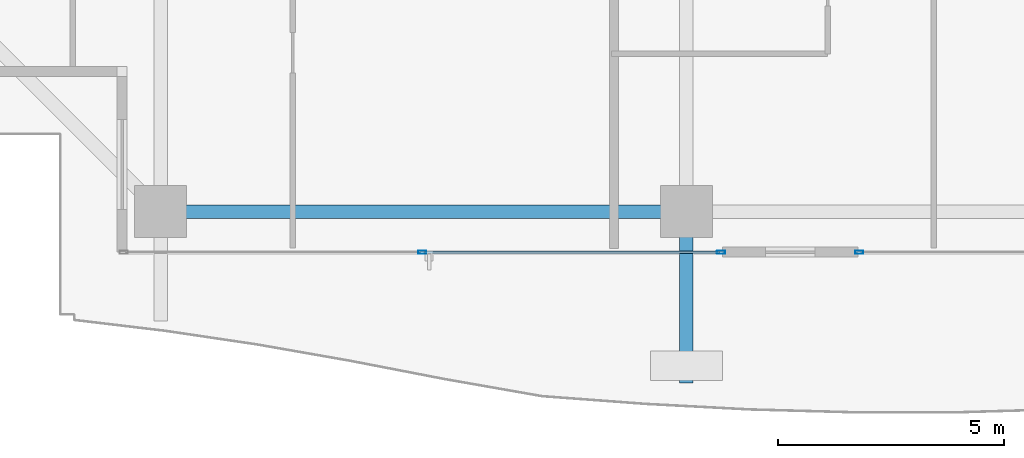
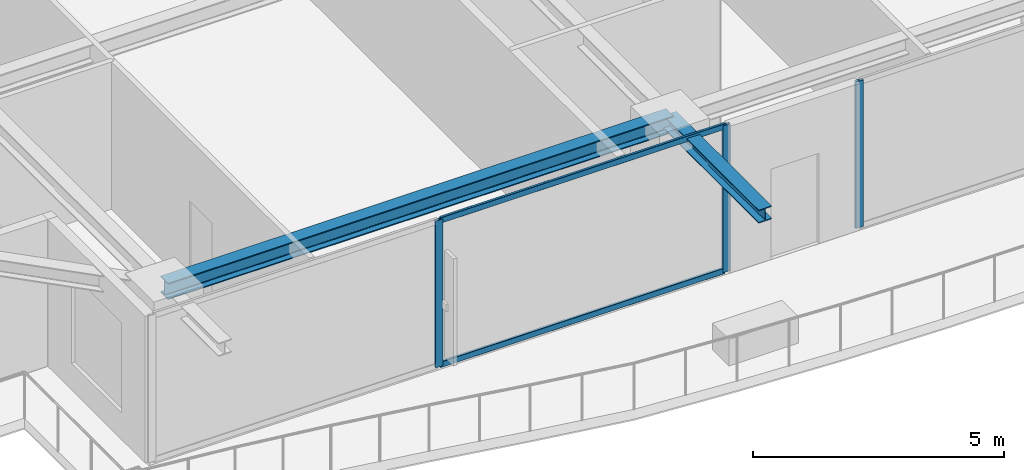
# One storey, part 5 of 38: 5 members, 2 beams, 2 elements without a shape of their own.
"""IFC4 building model written with IfcOpenShell, lengths in metres."""

import ifcopenshell
import ifcopenshell.guid

model = None  # the IFC model being written
_history = None  # IfcOwnerHistory: only IFC2X3 demands one
_inside = {}  # id of a spatial element -> (the spatial element, [elements in it])
_under = {}  # id of a project, library or spatial element -> (it, [spatial elements below it])
_declared = {}  # id of a project -> (the project, [libraries it declares])
_typed = {}  # id of a type object -> (the type object, [elements of that type])
_made_of = {}  # id of a material, layer set ... -> (it, [elements and type objects made of it])


def new_model(schema):
    """Start an empty IFC model of exactly this schema.

    Asked for "IFC4X3", IfcOpenShell would pick the latest addendum, in which some entities
    have other attributes; the version numbers below select the first issue.
    IFC2X3 requires an IfcOwnerHistory on every rooted entity: one is made here for all.
    """
    global model, _history
    if schema == "IFC4X3":
        model = ifcopenshell.file(schema_version=(4, 3, 0, 0))
    else:
        model = ifcopenshell.file(schema=schema)
    _inside.clear()
    _under.clear()
    _declared.clear()
    _typed.clear()
    _made_of.clear()
    _history = None
    if model.schema == "IFC2X3":
        org = make("IfcOrganization", Name="unknown")
        user = make(
            "IfcPersonAndOrganization",
            ThePerson=make("IfcPerson", FamilyName="unknown"),
            TheOrganization=org,
        )
        app = make(
            "IfcApplication",
            ApplicationDeveloper=org,
            Version="unknown",
            ApplicationFullName="unknown",
            ApplicationIdentifier="unknown",
        )
        _history = make(
            "IfcOwnerHistory",
            OwningUser=user,
            OwningApplication=app,
            ChangeAction="ADDED",
            CreationDate=0,
        )
    return model


def make(cls, **values):
    """One entity of the class cls with the attributes given. An attribute that is None is left unset."""
    return model.create_entity(
        cls, **{name: value for name, value in values.items() if value is not None}
    )


def rooted(cls, **values):
    """An entity with a GlobalId (a new one), such as an element, a storey or a relation."""
    return make(cls, GlobalId=ifcopenshell.guid.new(), OwnerHistory=_history, **values)


def si_unit(unit_type, name, prefix=None):
    """IfcSIUnit, for example si_unit("LENGTHUNIT", "METRE", prefix="MILLI")."""
    return make("IfcSIUnit", UnitType=unit_type, Prefix=prefix, Name=name)


def assignment(units):
    """IfcUnitAssignment: the units of a project."""
    return None if units is None else make("IfcUnitAssignment", Units=units)


def point(xyz):
    """IfcCartesianPoint."""
    return None if xyz is None else make("IfcCartesianPoint", Coordinates=xyz)


def direction(xyz):
    """IfcDirection."""
    return None if xyz is None else make("IfcDirection", DirectionRatios=xyz)


def frame(location, z_axis=None, x_axis=None):
    """IfcAxis2Placement3D, a coordinate frame: its origin and axes. An axis left out is left unset."""
    return make(
        "IfcAxis2Placement3D",
        Location=point(location),
        Axis=direction(z_axis),
        RefDirection=direction(x_axis),
    )


def frame_2d(location, x_axis=None):
    """IfcAxis2Placement2D, a coordinate frame in the plane: its origin and x axis."""
    return make(
        "IfcAxis2Placement2D", Location=point(location), RefDirection=direction(x_axis)
    )


def origin():
    """The frame at (0, 0, 0) with its axes left unset."""
    return frame((0.0, 0.0, 0.0))


def origin_2d():
    """The frame at (0, 0) in the plane with its x axis left unset."""
    return frame_2d((0.0, 0.0))


def place(relative_to, where):
    """IfcLocalPlacement: puts the frame where relative to a parent placement (None: the world)."""
    return make(
        "IfcLocalPlacement", PlacementRelTo=relative_to, RelativePlacement=where
    )


def context(
    kind, dimensions, precision=None, world=None, true_north=None, identifier=None
):
    """IfcGeometricRepresentationContext, for example the 3D "Model" context."""
    return make(
        "IfcGeometricRepresentationContext",
        ContextIdentifier=identifier,
        ContextType=kind,
        CoordinateSpaceDimension=dimensions,
        Precision=precision,
        WorldCoordinateSystem=world,
        TrueNorth=true_north,
    )


def subcontext(parent, identifier, kind, view, scale=None):
    """IfcGeometricRepresentationSubContext, for example "Body" below "Model"."""
    return make(
        "IfcGeometricRepresentationSubContext",
        ContextIdentifier=identifier,
        ContextType=kind,
        ParentContext=parent,
        TargetScale=scale,
        TargetView=view,
    )


def project(units=None, contexts=None):
    """IfcProject with its units and contexts."""
    return rooted(
        "IfcProject",
        Name="project",
        RepresentationContexts=contexts,
        UnitsInContext=assignment(units),
    )


def spatial(cls, under=None, at=None, **own):
    """A site, building, storey or space (cls), placed at a placement, below another one or the project."""
    s = rooted(cls, ObjectPlacement=at, **own)
    if under is not None:
        _under.setdefault(under.id(), (under, []))[1].append(s)
    return s


def profile(cls, at=None, kind="AREA", **sizes):
    """A parametric profile (cls). Its sizes go by their IFC names, for example OverallWidth=200.0."""
    return make(cls, ProfileType=kind, Position=at, **sizes)


def hollow_rectangle(**sizes):
    """IfcRectangleHollowProfileDef."""
    return profile("IfcRectangleHollowProfileDef", **sizes)


def i_section(**sizes):
    """IfcIShapeProfileDef."""
    return profile("IfcIShapeProfileDef", **sizes)


def extrude(swept, where, along, depth):
    """IfcExtrudedAreaSolid: the profile swept, set in the frame where, extruded along a direction by depth."""
    return make(
        "IfcExtrudedAreaSolid",
        SweptArea=swept,
        Position=where,
        ExtrudedDirection=direction(along),
        Depth=depth,
    )


def shape(context_of_items, identifier, shape_type, items):
    """IfcShapeRepresentation: the items that make up one representation, for example the "Body"."""
    return make(
        "IfcShapeRepresentation",
        ContextOfItems=context_of_items,
        RepresentationIdentifier=identifier,
        RepresentationType=shape_type,
        Items=items,
    )


def source(mapping_origin, context_of_items, identifier, shape_type, items):
    """IfcRepresentationMap: a shape defined once, which mapped items show again and again."""
    return make(
        "IfcRepresentationMap",
        MappingOrigin=mapping_origin,
        MappedRepresentation=shape(context_of_items, identifier, shape_type, items),
    )


def transform(
    local_origin,
    x_axis=None,
    y_axis=None,
    z_axis=None,
    scale=None,
    scale2=None,
    scale3=None,
    uniform=True,
):
    """IfcCartesianTransformationOperator3D, or its non-uniform kind. x_axis, y_axis, z_axis: its Axis1, 2, 3."""
    if uniform:
        return make(
            "IfcCartesianTransformationOperator3D",
            Axis1=direction(x_axis),
            Axis2=direction(y_axis),
            LocalOrigin=point(local_origin),
            Scale=scale,
            Axis3=direction(z_axis),
        )
    return make(
        "IfcCartesianTransformationOperator3DnonUniform",
        Axis1=direction(x_axis),
        Axis2=direction(y_axis),
        LocalOrigin=point(local_origin),
        Scale=scale,
        Axis3=direction(z_axis),
        Scale2=scale2,
        Scale3=scale3,
    )


def mapped(mapping_source, mapping_target):
    """IfcMappedItem: shows the shape of a source again, moved by a transform."""
    return make(
        "IfcMappedItem", MappingSource=mapping_source, MappingTarget=mapping_target
    )


def material(Name=None, Category=None):
    """IfcMaterial."""
    return make("IfcMaterial", Name=Name, Category=Category)


def layer(
    of_material, thickness, ventilated=None, Name=None, Category=None, Priority=None
):
    """IfcMaterialLayer: one layer of a wall or slab, of a material (None: an air gap)."""
    return make(
        "IfcMaterialLayer",
        Material=of_material,
        LayerThickness=thickness,
        IsVentilated=ventilated,
        Name=Name,
        Category=Category,
        Priority=Priority,
    )


def layer_set(layers, Name=None):
    """IfcMaterialLayerSet."""
    return make("IfcMaterialLayerSet", MaterialLayers=layers, LayerSetName=Name)


def material_profile(
    of_material, cross_section, Name=None, Category=None, Priority=None
):
    """IfcMaterialProfile: a cross section and its material."""
    return make(
        "IfcMaterialProfile",
        Name=Name,
        Material=of_material,
        Profile=cross_section,
        Priority=Priority,
        Category=Category,
    )


def profile_set(profiles, Name=None, composite=None):
    """IfcMaterialProfileSet."""
    return make(
        "IfcMaterialProfileSet",
        Name=Name,
        MaterialProfiles=profiles,
        CompositeProfile=composite,
    )


def made_of(thing, what):
    """Note that an element or type object is made of a material, layer set ...; save() writes the relation."""
    if what is not None:
        _made_of.setdefault(what.id(), (what, []))[1].append(thing)
    return thing


def type_object(cls, material=None, **own):
    """A type object (cls), such as IfcWallType, which elements share."""
    return made_of(rooted(cls, **own), material)


def element(
    cls,
    number,
    at=None,
    inside=None,
    cuts=None,
    type_object=None,
    material=None,
    context=None,
    identifier="Body",
    shape_type=None,
    held_by="IfcProductDefinitionShape",
    body=None,
    shapes=None,
    **own,
):
    """One element of the class cls, such as IfcWall. Its Tag is "e" and its number.

    at: its placement. inside: the storey or other place that contains it. cuts: it is an
    opening in that element (IfcRelVoidsElement). A single representation is given by context,
    identifier, shape_type and body (its items); several are given by shapes. held_by: the class
    of the entity that holds the representations. save() writes the other relations.
    """
    e = rooted(cls, Tag="e%d" % number, ObjectPlacement=at, **own)
    if body is not None:
        shapes = [shape(context, identifier, shape_type, body)]
    if shapes is not None:
        e.Representation = make(held_by, Representations=shapes)
    if inside is not None:
        _inside.setdefault(inside.id(), (inside, []))[1].append(e)
    if cuts is not None:
        rooted(
            "IfcRelVoidsElement", RelatingBuildingElement=cuts, RelatedOpeningElement=e
        )
    if type_object is not None:
        _typed.setdefault(type_object.id(), (type_object, []))[1].append(e)
    return made_of(e, material)


def aggregate(whole, parts):
    """IfcRelAggregates: a whole, such as a stair, and the parts it consists of."""
    return rooted("IfcRelAggregates", RelatingObject=whole, RelatedObjects=parts)


def save(model, path):
    """Write the relations noted so far, then the file.

    IfcRelAggregates (storeys below a building ...), IfcRelContainedInSpatialStructure (elements
    in a storey), IfcRelDefinesByType, IfcRelAssociatesMaterial and IfcRelDeclares: one each for
    every whole, place, type object, material and project.
    """
    for whole, parts in _under.values():
        aggregate(whole, parts)
    for where, things in _inside.values():
        rooted(
            "IfcRelContainedInSpatialStructure",
            RelatedElements=things,
            RelatingStructure=where,
        )
    for kind, things in _typed.values():
        rooted("IfcRelDefinesByType", RelatedObjects=things, RelatingType=kind)
    for what, things in _made_of.values():
        rooted("IfcRelAssociatesMaterial", RelatedObjects=things, RelatingMaterial=what)
    for by, libraries in _declared.values():
        rooted("IfcRelDeclares", RelatingContext=by, RelatedDefinitions=libraries)
    model.write(path)


model = new_model("IFC4")

# Units and contexts
model_context = context("Model", 3, precision=1e-05, world=origin(), true_north=direction((0.0, 1.0)))
body_context = subcontext(model_context, "Body", "Model", "MODEL_VIEW")
ifc_project = project(units=[si_unit("LENGTHUNIT", "METRE"), si_unit("AREAUNIT", "SQUARE_METRE"), si_unit("VOLUMEUNIT", "CUBIC_METRE"), si_unit("PLANEANGLEUNIT", "RADIAN"), si_unit("MASSUNIT", "GRAM", prefix="KILO")], contexts=[model_context])

# Site, building, storey
site_placement = place(None, origin())
site = spatial("IfcSite", under=ifc_project, at=site_placement, CompositionType="ELEMENT")
building_placement = place(site_placement, origin())
building = spatial("IfcBuilding", under=site, at=building_placement, Name="Serunith Strait Residences", CompositionType="ELEMENT")
storey_placement = place(building_placement, frame((0.0, 0.0, 241.25)))
storey = spatial("IfcBuildingStorey", under=building, at=storey_placement, Name="L60", CompositionType="ELEMENT", Elevation=241.25)

# Beams
ifc_material_1 = material(Name="Steel S355J2", Category="steel")
ifc_material_profile_1 = material_profile(ifc_material_1, i_section(OverallWidth=0.300048828125, OverallDepth=0.39990234375, WebThickness=0.013427734375, FlangeThickness=0.02392578125, FilletRadius=0.027099609375, at=origin_2d()), Name="HEB 400")
ifc_profile_set_1 = profile_set([ifc_material_profile_1], Name="Steel S355J2")
beam_type_1 = type_object("IfcBeamType", Name="BM-HEB400", PredefinedType="BEAM", material=ifc_profile_set_1)
shared_shape_1 = source(origin(), body_context, "Body", "SweptSolid", [
    extrude(i_section(OverallWidth=0.300048828125, OverallDepth=0.39990234375, WebThickness=0.013427734375, FlangeThickness=0.02392578125, FilletRadius=0.027099609375, at=origin_2d()), origin(), (0.0, 0.0, 1.0), 11.64990234375),
])
beam_1_placement = place(storey_placement, frame((16.25, 2.10009765625, 3.386962890625), z_axis=(1.0, 0.0, 0.0), x_axis=(0.0, 1.0, 0.0)))
element("IfcBeam", 1, at=beam_1_placement, inside=storey, type_object=beam_type_1, Name="L60 Perimeter Ring Beam 01", PredefinedType="BEAM", context=body_context, shape_type="MappedRepresentation", body=[
    mapped(shared_shape_1, transform((0.0, 0.0, 0.0), scale=1.0)),
])
ifc_material_profile_2 = material_profile(ifc_material_1, i_section(OverallWidth=0.300048828125, OverallDepth=0.320068359375, WebThickness=0.011474609375, FlangeThickness=0.0205078125, FilletRadius=0.027099609375, at=origin_2d()), Name="HEB 320")
ifc_profile_set_2 = profile_set([ifc_material_profile_2], Name="Steel S355J2")
beam_type_2 = type_object("IfcBeamType", Name="BM-HEB320", PredefinedType="BEAM", material=ifc_profile_set_2)
shared_shape_2 = source(origin(), body_context, "Body", "SweptSolid", [
    extrude(i_section(OverallWidth=0.300048828125, OverallDepth=0.320068359375, WebThickness=0.011474609375, FlangeThickness=0.0205078125, FilletRadius=0.027099609375, at=origin_2d()), origin(), (0.0, 0.0, 1.0), 3.800048828125),
])
beam_2_placement = place(storey_placement, frame((27.89990234375, 2.10009765625, 3.39697265625), z_axis=(0.0, -1.0, 0.0), x_axis=(1.0, 0.0, 0.0)))
element("IfcBeam", 2, at=beam_2_placement, inside=storey, type_object=beam_type_2, Name="L61 Cantilevered Balcony Rib TC-S2", PredefinedType="BEAM", context=body_context, shape_type="MappedRepresentation", body=[
    mapped(shared_shape_2, transform((0.0, 0.0, 0.0), scale=1.0)),
])

# Curtain wall, members
ifc_material_2 = material(Name="Pale-Champagne Anodised Aluminium", Category="aluminium")
ifc_layer = layer(ifc_material_2, 0.199951171875, Name="Pale-Champagne Anodised Aluminium")
ifc_layer_set = layer_set([ifc_layer], Name="Pale-Champagne Anodised Aluminium")
curtain_wall_type = type_object("IfcCurtainWallType", Name="CW-SYS4", PredefinedType="NOTDEFINED", material=ifc_layer_set)
curtain_wall_1_placement = place(storey_placement, origin())
curtain_wall_1 = element("IfcCurtainWall", 3, at=curtain_wall_1_placement, inside=storey, type_object=curtain_wall_type, Name="L60 S Unitised Fritted Curtain Wall", PredefinedType="NOTDEFINED")
ifc_material_profile_3 = material_profile(ifc_material_2, hollow_rectangle(XDim=0.06494140625, YDim=0.179931640625, WallThickness=0.00341796875, InnerFilletRadius=0.00537109375, OuterFilletRadius=0.0087890625, at=origin_2d()), Name="ALU 180x65x3.5")
ifc_profile_set_3 = profile_set([ifc_material_profile_3], Name="Pale-Champagne Anodised Aluminium")
member_type_1 = type_object("IfcMemberType", Name="CW-SYS4-MULL", PredefinedType="MULLION", material=ifc_profile_set_3)
shared_shape_3 = source(origin(), body_context, "Body", "SweptSolid", [
    extrude(hollow_rectangle(XDim=0.06494140625, YDim=0.179931640625, WallThickness=0.00341796875, InnerFilletRadius=0.00537109375, OuterFilletRadius=0.0087890625, at=origin_2d()), origin(), (0.0, 0.0, 1.0), 3.574951171875),
])
member_1_placement = place(storey_placement, frame((22.050048828125, 1.199951171875, 0.0), z_axis=(0.0, 0.0, 1.0), x_axis=(0.0, 1.0, 0.0)))
member_1 = element("IfcMember", 4, at=member_1_placement, type_object=member_type_1, Name="CW-4 mullion 2", PredefinedType="MULLION", context=body_context, shape_type="MappedRepresentation", body=[
    mapped(shared_shape_3, transform((0.0, 0.0, 0.0), scale=1.0)),
])
member_2_placement = place(storey_placement, frame((28.66748046875, 1.199951171875, 0.0), z_axis=(0.0, 0.0, 1.0), x_axis=(0.0, 1.0, 0.0)))
member_2 = element("IfcMember", 5, at=member_2_placement, type_object=member_type_1, Name="CW-4 mullion 3", PredefinedType="MULLION", context=body_context, shape_type="MappedRepresentation", body=[
    mapped(shared_shape_3, transform((0.0, 0.0, 0.0), scale=1.0)),
])

# Curtain wall, member
curtain_wall_2_placement = place(storey_placement, origin())
curtain_wall_2 = element("IfcCurtainWall", 6, at=curtain_wall_2_placement, inside=storey, type_object=curtain_wall_type, Name="L60 S Unitised Fritted Curtain Wall", PredefinedType="NOTDEFINED")
member_3_placement = place(storey_placement, frame((31.732421875, 1.199951171875, 0.0), z_axis=(0.0, 0.0, 1.0), x_axis=(0.0, 1.0, 0.0)))
member_3 = element("IfcMember", 7, at=member_3_placement, type_object=member_type_1, Name="CW-4 mullion 1", PredefinedType="MULLION", context=body_context, shape_type="MappedRepresentation", body=[
    mapped(shared_shape_3, transform((0.0, 0.0, 0.0), scale=1.0)),
])
aggregate(curtain_wall_2, [member_3])

# Member
ifc_material_profile_4 = material_profile(ifc_material_2, hollow_rectangle(XDim=0.06005859375, YDim=0.139892578125, WallThickness=0.00341796875, InnerFilletRadius=0.00537109375, OuterFilletRadius=0.0087890625, at=origin_2d()), Name="ALU 140x60x3.5")
ifc_profile_set_4 = profile_set([ifc_material_profile_4], Name="Pale-Champagne Anodised Aluminium")
member_type_2 = type_object("IfcMemberType", Name="CW-SYS4-TRAN", PredefinedType="USERDEFINED", material=ifc_profile_set_4)
shared_shape_4 = source(origin(), body_context, "Body", "SweptSolid", [
    extrude(hollow_rectangle(XDim=0.06005859375, YDim=0.139892578125, WallThickness=0.00341796875, InnerFilletRadius=0.00537109375, OuterFilletRadius=0.0087890625, at=origin_2d()), origin(), (0.0, 0.0, 1.0), 6.552490234375),
])
member_4_placement = place(storey_placement, frame((22.08251953125, 1.199951171875, 0.030029296875), z_axis=(1.0, 0.0, 0.0), x_axis=(0.0, 1.0, 0.0)))
member_4 = element("IfcMember", 8, at=member_4_placement, type_object=member_type_2, Name="CW-4 transom 2.1", ObjectType="TRANSOM", PredefinedType="USERDEFINED", context=body_context, shape_type="MappedRepresentation", body=[
    mapped(shared_shape_4, transform((0.0, 0.0, 0.0), scale=1.0)),
])

member_5_placement = place(storey_placement, frame((22.08251953125, 1.199951171875, 3.544921875), z_axis=(1.0, 0.0, 0.0), x_axis=(0.0, 1.0, 0.0)))
member_5 = element("IfcMember", 9, at=member_5_placement, type_object=member_type_2, Name="CW-4 transom 2.2", ObjectType="TRANSOM", PredefinedType="USERDEFINED", context=body_context, shape_type="MappedRepresentation", body=[
    mapped(shared_shape_4, transform((0.0, 0.0, 0.0), scale=1.0)),
])

aggregate(curtain_wall_1, [member_1, member_2, member_4, member_5])

save(model, "model.ifc")
